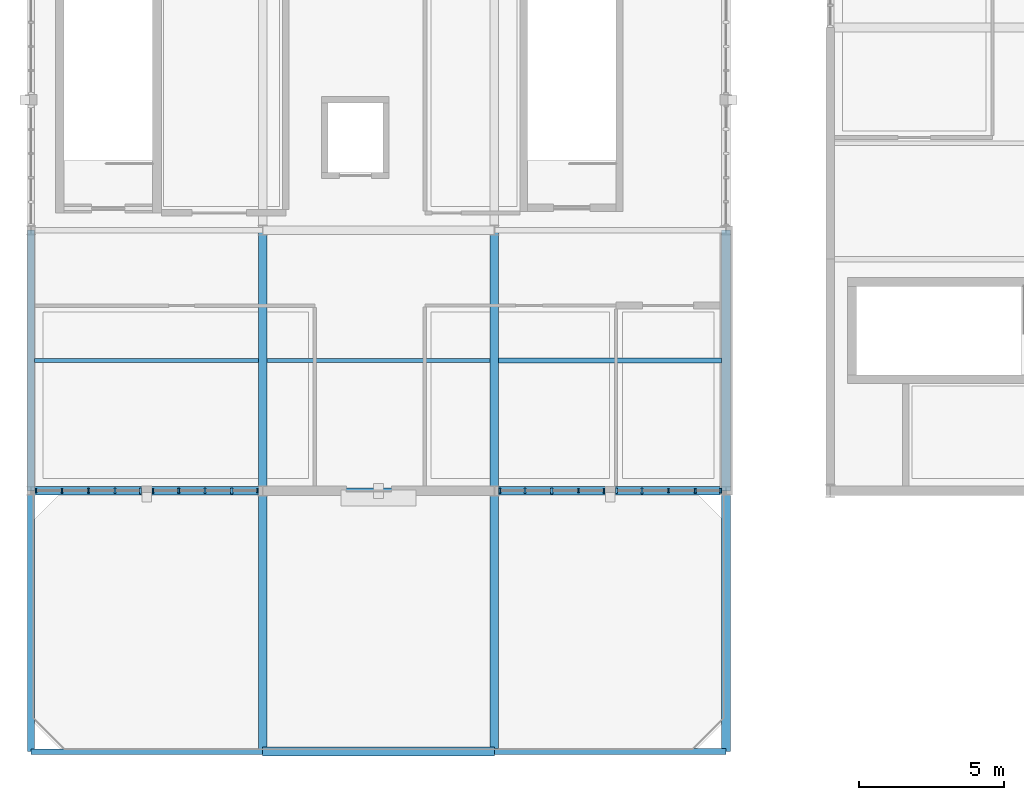
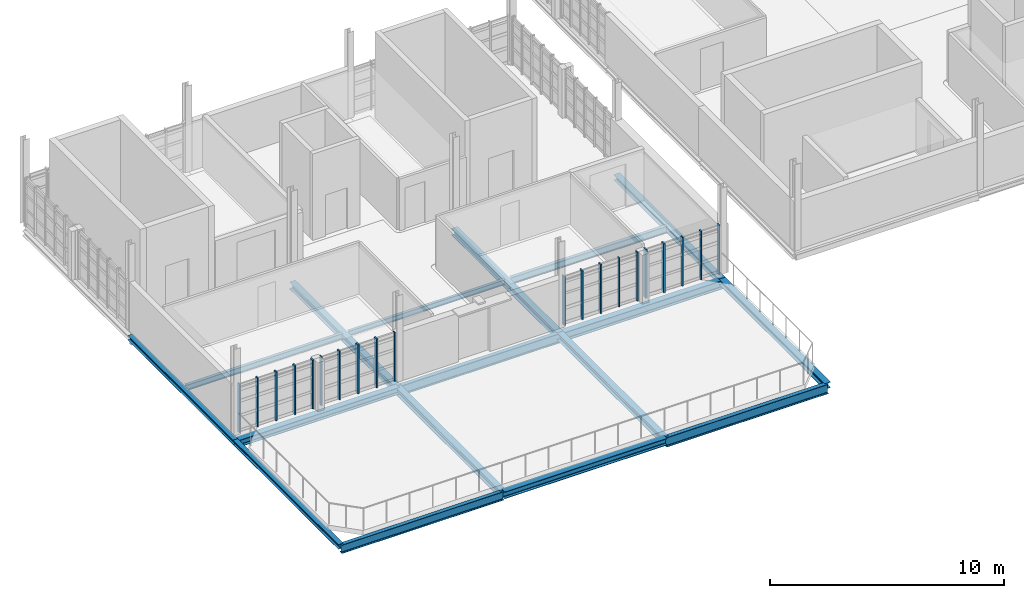
# One storey, part 6 of 44: 20 members, 17 beams, 4 elements without a shape of their own.
"""IFC4 building model written with IfcOpenShell, lengths in metres."""

from ifc_helpers import new_model, si_unit, direction, frame, origin, origin_2d, place, context, subcontext, project, spatial, rectangle, i_section, extrude, material, material_profile, profile_set, type_object, element, aggregate, save


model = new_model("IFC4")

# Units and contexts
model_context = context("Model", 3, precision=1e-05, world=origin(), true_north=direction((0.0, 1.0)))
body_context = subcontext(model_context, "Body", "Model", "MODEL_VIEW")
ifc_project = project(units=[si_unit("LENGTHUNIT", "METRE"), si_unit("AREAUNIT", "SQUARE_METRE"), si_unit("VOLUMEUNIT", "CUBIC_METRE"), si_unit("PLANEANGLEUNIT", "RADIAN"), si_unit("MASSUNIT", "GRAM", prefix="KILO")], contexts=[model_context])

# Site, building, storey
site_placement = place(None, origin())
site = spatial("IfcSite", under=ifc_project, at=site_placement, CompositionType="ELEMENT")
building_placement = place(site_placement, origin())
building = spatial("IfcBuilding", under=site, at=building_placement, Name="Serraforn Aerial Cableway Station", CompositionType="ELEMENT")
storey_placement = place(building_placement, frame((0.0, 0.0, 13.800048828125)))
storey = spatial("IfcBuildingStorey", under=building, at=storey_placement, Name="L03", CompositionType="ELEMENT", Elevation=13.800048828125)

# Beams
ifc_material_1 = material(Name="Steel S355JR", Category="steel")
ifc_material_profile_1 = material_profile(ifc_material_1, i_section(OverallWidth=0.239990234375, OverallDepth=0.239990234375, WebThickness=0.007568359375, FlangeThickness=0.011962890625, FilletRadius=0.02099609375, at=origin_2d()), Name="HEA 240")
ifc_profile_set_1 = profile_set([ifc_material_profile_1], Name="Steel S355JR")
beam_type_1 = type_object("IfcBeamType", Name="BM-ST-HEA240", PredefinedType="BEAM", material=ifc_profile_set_1)
for number, where, z_axis, x_axis, name in (
    (1, (0.0, 9.0, -0.43994140625), (0.0, 1.0, 0.0), (-1.0, 0.0, 0.0), "Grid Girder Y W L03 X1-1"),
    (2, (0.0, 18.0, -0.43994140625), (0.0, 1.0, 0.0), (-1.0, 0.0, 0.0), "Grid Girder Y W L03 X1-2"),
):
    element("IfcBeam", number, at=place(storey_placement, frame(where, z_axis=z_axis, x_axis=x_axis)), inside=storey, type_object=beam_type_1, Name=name, PredefinedType="BEAM", context=body_context, shape_type="SweptSolid", body=[
        extrude(i_section(OverallWidth=0.239990234375, OverallDepth=0.239990234375, WebThickness=0.007568359375, FlangeThickness=0.011962890625, FilletRadius=0.02099609375, at=origin_2d()), origin(), (0.0, 0.0, 1.0), 9.0),
    ])
ifc_material_profile_2 = material_profile(ifc_material_1, i_section(OverallWidth=0.300048828125, OverallDepth=0.360107421875, WebThickness=0.010009765625, FlangeThickness=0.017578125, FilletRadius=0.027099609375, at=origin_2d()), Name="HEA 360")
ifc_profile_set_2 = profile_set([ifc_material_profile_2], Name="Steel S355JR")
beam_type_2 = type_object("IfcBeamType", Name="BM-ST-HEA360", PredefinedType="BEAM", material=ifc_profile_set_2)
for number, where, z_axis, x_axis, name in (
    (3, (8.0, 9.0, -0.5), (0.0, 1.0, 0.0), (-1.0, 0.0, 0.0), "Grid Girder Y W L03 X2-1"),
    (4, (8.0, 18.0, -0.5), (0.0, 1.0, 0.0), (-1.0, 0.0, 0.0), "Grid Girder Y W L03 X2-2"),
    (5, (16.0, 9.0, -0.5), (0.0, 1.0, 0.0), (-1.0, 0.0, 0.0), "Grid Girder Y W L03 X3-1"),
    (6, (16.0, 18.0, -0.5), (0.0, 1.0, 0.0), (-1.0, 0.0, 0.0), "Grid Girder Y W L03 X3-2"),
):
    element("IfcBeam", number, at=place(storey_placement, frame(where, z_axis=z_axis, x_axis=x_axis)), inside=storey, type_object=beam_type_2, Name=name, PredefinedType="BEAM", context=body_context, shape_type="SweptSolid", body=[
        extrude(i_section(OverallWidth=0.300048828125, OverallDepth=0.360107421875, WebThickness=0.010009765625, FlangeThickness=0.017578125, FilletRadius=0.027099609375, at=origin_2d()), origin(), (0.0, 0.0, 1.0), 9.0),
    ])
ifc_material_profile_3 = material_profile(ifc_material_1, i_section(OverallWidth=0.300048828125, OverallDepth=0.449951171875, WebThickness=0.011474609375, FlangeThickness=0.02099609375, FilletRadius=0.027099609375, at=origin_2d()), Name="HEA 450")
ifc_profile_set_3 = profile_set([ifc_material_profile_3], Name="Steel S355JR")
beam_type_3 = type_object("IfcBeamType", Name="BM-ST-HEA450", PredefinedType="USERDEFINED", material=ifc_profile_set_3)
beam_1_placement = place(storey_placement, frame((16.0, 18.0, -0.545166015625), z_axis=(1.0, 0.0, 0.0), x_axis=(0.0, 1.0, 0.0)))
element("IfcBeam", 7, at=beam_1_placement, inside=storey, type_object=beam_type_3, Name="Grid Girder X W L03 Y3-3", ObjectType="GIRDER", PredefinedType="USERDEFINED", context=body_context, shape_type="SweptSolid", body=[
    extrude(i_section(OverallWidth=0.300048828125, OverallDepth=0.449951171875, WebThickness=0.011474609375, FlangeThickness=0.02099609375, FilletRadius=0.027099609375, at=origin_2d()), origin(), (0.0, 0.0, 1.0), 8.0),
])
ifc_material_2 = material(Name="Steel S355J2", Category="steel")
ifc_material_profile_4 = material_profile(ifc_material_2, i_section(OverallWidth=0.300048828125, OverallDepth=0.300048828125, WebThickness=0.010986328125, FlangeThickness=0.01904296875, FilletRadius=0.027099609375, at=origin_2d()), Name="HEB 300")
ifc_profile_set_4 = profile_set([ifc_material_profile_4], Name="Steel S355J2")
beam_type_4 = type_object("IfcBeamType", Name="BM-ST-HEB300", PredefinedType="BEAM", material=ifc_profile_set_4)
for number, where, z_axis, x_axis, name in (
    (8, (24.0, 9.0, -0.469970703125), (0.0, 1.0, 0.0), (-1.0, 0.0, 0.0), "Grid Girder Y W L03 X4-1"),
    (9, (24.0, 18.0, -0.469970703125), (0.0, 1.0, 0.0), (-1.0, 0.0, 0.0), "Grid Girder Y W L03 X4-2"),
):
    element("IfcBeam", number, at=place(storey_placement, frame(where, z_axis=z_axis, x_axis=x_axis)), inside=storey, type_object=beam_type_4, Name=name, PredefinedType="BEAM", context=body_context, shape_type="SweptSolid", body=[
        extrude(i_section(OverallWidth=0.300048828125, OverallDepth=0.300048828125, WebThickness=0.010986328125, FlangeThickness=0.01904296875, FilletRadius=0.027099609375, at=origin_2d()), origin(), (0.0, 0.0, 1.0), 9.0),
    ])
ifc_material_profile_5 = material_profile(ifc_material_2, i_section(OverallWidth=0.300048828125, OverallDepth=0.360107421875, WebThickness=0.012451171875, FlangeThickness=0.0224609375, FilletRadius=0.027099609375, at=origin_2d()), Name="HEB 360")
ifc_profile_set_5 = profile_set([ifc_material_profile_5], Name="Steel S355J2")
beam_type_5 = type_object("IfcBeamType", Name="BM-ST-HEB360", PredefinedType="USERDEFINED", material=ifc_profile_set_5)
for number, where, z_axis, x_axis, name in (
    (10, (8.0, 9.0, -0.5), (1.0, 0.0, 0.0), (0.0, 1.0, 0.0), "Grid Girder X W L03 Y2-2"),
    (11, (0.0, 18.0, -0.5), (1.0, 0.0, 0.0), (0.0, 1.0, 0.0), "Grid Girder X W L03 Y3-1"),
):
    element("IfcBeam", number, at=place(storey_placement, frame(where, z_axis=z_axis, x_axis=x_axis)), inside=storey, type_object=beam_type_5, Name=name, ObjectType="GIRDER", PredefinedType="USERDEFINED", context=body_context, shape_type="SweptSolid", body=[
        extrude(i_section(OverallWidth=0.300048828125, OverallDepth=0.360107421875, WebThickness=0.012451171875, FlangeThickness=0.0224609375, FilletRadius=0.027099609375, at=origin_2d()), origin(), (0.0, 0.0, 1.0), 8.0),
    ])
ifc_material_profile_6 = material_profile(ifc_material_1, i_section(OverallWidth=0.135009765625, OverallDepth=0.27001953125, WebThickness=0.006591796875, FlangeThickness=0.01025390625, FilletRadius=0.014892578125, at=origin_2d()), Name="IPE 270")
ifc_profile_set_6 = profile_set([ifc_material_profile_6], Name="Steel S355JR")
beam_type_6 = type_object("IfcBeamType", Name="BM-ST-IPE270", PredefinedType="JOIST", material=ifc_profile_set_6)
beam_2_placement = place(storey_placement, frame((8.14990234375, 22.5, -0.3701171875), z_axis=(1.0, 0.0, 0.0), x_axis=(0.0, 1.0, 0.0)))
element("IfcBeam", 12, at=beam_2_placement, inside=storey, type_object=beam_type_6, Name="Floor Joist W-L03-2-3-1", PredefinedType="JOIST", context=body_context, shape_type="SweptSolid", body=[
    extrude(i_section(OverallWidth=0.135009765625, OverallDepth=0.27001953125, WebThickness=0.006591796875, FlangeThickness=0.01025390625, FilletRadius=0.014892578125, at=origin_2d()), origin(), (0.0, 0.0, 1.0), 7.7001953125),
])
ifc_material_profile_7 = material_profile(ifc_material_1, i_section(OverallWidth=0.14990234375, OverallDepth=0.300048828125, WebThickness=0.007080078125, FlangeThickness=0.0107421875, FilletRadius=0.014892578125, at=origin_2d()), Name="IPE 300")
ifc_profile_set_7 = profile_set([ifc_material_profile_7], Name="Steel S355JR")
beam_type_7 = type_object("IfcBeamType", Name="BM-ST-IPE300", PredefinedType="JOIST", material=ifc_profile_set_7)
beam_3_placement = place(storey_placement, frame((0.1201171875, 22.5, -0.385009765625), z_axis=(1.0, 0.0, 0.0), x_axis=(0.0, 1.0, 0.0)))
element("IfcBeam", 13, at=beam_3_placement, inside=storey, type_object=beam_type_7, Name="Floor Joist W-L03-1-3-1", PredefinedType="JOIST", context=body_context, shape_type="SweptSolid", body=[
    extrude(i_section(OverallWidth=0.14990234375, OverallDepth=0.300048828125, WebThickness=0.007080078125, FlangeThickness=0.0107421875, FilletRadius=0.014892578125, at=origin_2d()), origin(), (0.0, 0.0, 1.0), 7.72998046875),
])
ifc_material_profile_8 = material_profile(ifc_material_1, i_section(OverallWidth=0.169921875, OverallDepth=0.360107421875, WebThickness=0.008056640625, FlangeThickness=0.0126953125, FilletRadius=0.01806640625, at=origin_2d()), Name="IPE 360")
ifc_profile_set_8 = profile_set([ifc_material_profile_8], Name="Steel S355JR")
beam_type_8 = type_object("IfcBeamType", Name="BM-ST-IPE360", PredefinedType="JOIST", material=ifc_profile_set_8)
beam_4_placement = place(storey_placement, frame((16.14990234375, 22.5, -0.4150390625), z_axis=(1.0, 0.0, 0.0), x_axis=(0.0, 1.0, 0.0)))
element("IfcBeam", 14, at=beam_4_placement, inside=storey, type_object=beam_type_8, Name="Floor Joist W-L03-3-3-1", PredefinedType="JOIST", context=body_context, shape_type="SweptSolid", body=[
    extrude(i_section(OverallWidth=0.169921875, OverallDepth=0.360107421875, WebThickness=0.008056640625, FlangeThickness=0.0126953125, FilletRadius=0.01806640625, at=origin_2d()), origin(), (0.0, 0.0, 1.0), 7.7001953125),
])
ifc_material_profile_9 = material_profile(ifc_material_1, i_section(OverallWidth=0.18994140625, OverallDepth=0.449951171875, WebThickness=0.009521484375, FlangeThickness=0.0146484375, FilletRadius=0.02099609375, at=origin_2d()), Name="IPE 450")
ifc_profile_set_9 = profile_set([ifc_material_profile_9], Name="Steel S355JR")
beam_type_9 = type_object("IfcBeamType", Name="BM-ST-IPE450", PredefinedType="BEAM", material=ifc_profile_set_9)
beam_5_placement = place(storey_placement, frame((0.0, 9.0, -0.545166015625), z_axis=(1.0, 0.0, 0.0), x_axis=(0.0, 1.0, 0.0)))
element("IfcBeam", 15, at=beam_5_placement, inside=storey, type_object=beam_type_9, Name="Grid Girder X W L03 Y2-1", PredefinedType="BEAM", context=body_context, shape_type="SweptSolid", body=[
    extrude(i_section(OverallWidth=0.18994140625, OverallDepth=0.449951171875, WebThickness=0.009521484375, FlangeThickness=0.0146484375, FilletRadius=0.02099609375, at=origin_2d()), origin(), (0.0, 0.0, 1.0), 8.0),
])
ifc_material_profile_10 = material_profile(ifc_material_1, i_section(OverallWidth=0.199951171875, OverallDepth=0.5, WebThickness=0.01025390625, FlangeThickness=0.01611328125, FilletRadius=0.02099609375, at=origin_2d()), Name="IPE 500")
ifc_profile_set_10 = profile_set([ifc_material_profile_10], Name="Steel S355JR")
beam_type_10 = type_object("IfcBeamType", Name="BM-ST-IPE500", PredefinedType="USERDEFINED", material=ifc_profile_set_10)
for number, where, z_axis, x_axis, name in (
    (16, (16.0, 9.0, -0.570068359375), (1.0, 0.0, 0.0), (0.0, 1.0, 0.0), "Grid Girder X W L03 Y2-3"),
    (17, (8.0, 18.0, -0.570068359375), (1.0, 0.0, 0.0), (0.0, 1.0, 0.0), "Grid Girder X W L03 Y3-2"),
):
    element("IfcBeam", number, at=place(storey_placement, frame(where, z_axis=z_axis, x_axis=x_axis)), inside=storey, type_object=beam_type_10, Name=name, ObjectType="GIRDER", PredefinedType="USERDEFINED", context=body_context, shape_type="SweptSolid", body=[
        extrude(i_section(OverallWidth=0.199951171875, OverallDepth=0.5, WebThickness=0.01025390625, FlangeThickness=0.01611328125, FilletRadius=0.02099609375, at=origin_2d()), origin(), (0.0, 0.0, 1.0), 8.0),
    ])

# Curtain wall, member
ifc_material_3 = material(Name="Anodised bronze unitised curtain wall")
curtain_wall_type_1 = type_object("IfcCurtainWallType", Name="CW-SYS-7", PredefinedType="USERDEFINED", material=ifc_material_3)
curtain_wall_1_placement = place(storey_placement, origin())
curtain_wall_1 = element("IfcCurtainWall", 18, at=curtain_wall_1_placement, inside=storey, type_object=curtain_wall_type_1, Name="Unitised Curtain Wall CW-W-L03-S1A", ObjectType="UNITISED CURTAIN WALL", PredefinedType="USERDEFINED")
ifc_material_4 = material(Name="Anodised bronze extruded aluminium", Category="aluminium")
ifc_material_profile_11 = material_profile(ifc_material_4, rectangle(XDim=0.054931640625, YDim=0.139892578125, at=origin_2d()), Name="CW MULLION 55x140")
ifc_profile_set_11 = profile_set([ifc_material_profile_11], Name="Anodised bronze extruded aluminium")
member_type_1 = type_object("IfcMemberType", Name="CW-MUL-1", PredefinedType="MULLION", material=ifc_profile_set_11)
member_1_placement = place(storey_placement, frame((0.175537109375, 18.0, 0.0), z_axis=(0.0, 0.0, 1.0), x_axis=(1.0, 0.0, 0.0)))
member_1 = element("IfcMember", 19, at=member_1_placement, type_object=member_type_1, Name="Curtain Wall Mullion CW-W-L03-S1A-M1", PredefinedType="MULLION", context=body_context, shape_type="SweptSolid", body=[
    extrude(rectangle(XDim=0.054931640625, YDim=0.139892578125, at=origin_2d()), origin(), (0.0, 0.0, 1.0), 2.550048828125),
])

curtain_wall_type_2 = type_object("IfcCurtainWallType", Name="CW-SYS-8", PredefinedType="USERDEFINED", material=ifc_material_3)
curtain_wall_2_placement = place(storey_placement, origin())
curtain_wall_2 = element("IfcCurtainWall", 20, at=curtain_wall_2_placement, inside=storey, type_object=curtain_wall_type_2, Name="Unitised Curtain Wall CW-W-L03-S1B", ObjectType="UNITISED CURTAIN WALL", PredefinedType="USERDEFINED")
member_2_placement = place(storey_placement, frame((7.824462890625, 18.0, 0.0), z_axis=(0.0, 0.0, 1.0), x_axis=(1.0, 0.0, 0.0)))
member_2 = element("IfcMember", 21, at=member_2_placement, type_object=member_type_1, Name="Curtain Wall Mullion CW-W-L03-S1B-M5", PredefinedType="MULLION", context=body_context, shape_type="SweptSolid", body=[
    extrude(rectangle(XDim=0.054931640625, YDim=0.139892578125, at=origin_2d()), origin(), (0.0, 0.0, 1.0), 2.550048828125),
])

curtain_wall_type_3 = type_object("IfcCurtainWallType", Name="CW-SYS-9", PredefinedType="USERDEFINED", material=ifc_material_3)
curtain_wall_3_placement = place(storey_placement, origin())
curtain_wall_3 = element("IfcCurtainWall", 22, at=curtain_wall_3_placement, inside=storey, type_object=curtain_wall_type_3, Name="Unitised Curtain Wall CW-W-L03-S3A", ObjectType="UNITISED CURTAIN WALL", PredefinedType="USERDEFINED")
member_3_placement = place(storey_placement, frame((18.902099609375, 18.0, 0.0), z_axis=(0.0, 0.0, 1.0), x_axis=(1.0, 0.0, 0.0)))
member_3 = element("IfcMember", 23, at=member_3_placement, type_object=member_type_1, Name="Curtain Wall Mullion CW-W-L03-S3A-M4", PredefinedType="MULLION", context=body_context, shape_type="SweptSolid", body=[
    extrude(rectangle(XDim=0.054931640625, YDim=0.139892578125, at=origin_2d()), origin(), (0.0, 0.0, 1.0), 2.550048828125),
])

curtain_wall_type_4 = type_object("IfcCurtainWallType", Name="CW-SYS-10", PredefinedType="USERDEFINED", material=ifc_material_3)
curtain_wall_4_placement = place(storey_placement, origin())
curtain_wall_4 = element("IfcCurtainWall", 24, at=curtain_wall_4_placement, inside=storey, type_object=curtain_wall_type_4, Name="Unitised Curtain Wall CW-W-L03-S3B", ObjectType="UNITISED CURTAIN WALL", PredefinedType="USERDEFINED")
member_4_placement = place(storey_placement, frame((22.01611328125, 18.0, 0.0), z_axis=(0.0, 0.0, 1.0), x_axis=(1.0, 0.0, 0.0)))
member_4 = element("IfcMember", 25, at=member_4_placement, type_object=member_type_1, Name="Curtain Wall Mullion CW-W-L03-S3B-M3", PredefinedType="MULLION", context=body_context, shape_type="SweptSolid", body=[
    extrude(rectangle(XDim=0.054931640625, YDim=0.139892578125, at=origin_2d()), origin(), (0.0, 0.0, 1.0), 2.550048828125),
])

# Member
ifc_material_profile_12 = material_profile(ifc_material_4, rectangle(XDim=0.06005859375, YDim=0.159912109375, at=origin_2d()), Name="CW MULLION 60x160")
ifc_profile_set_12 = profile_set([ifc_material_profile_12], Name="Anodised bronze extruded aluminium")
member_type_2 = type_object("IfcMemberType", Name="CW-MUL-2", PredefinedType="MULLION", material=ifc_profile_set_12)
member_5_placement = place(storey_placement, frame((1.06591796875, 18.0, 0.0), z_axis=(0.0, 0.0, 1.0), x_axis=(1.0, 0.0, 0.0)))
member_5 = element("IfcMember", 26, at=member_5_placement, type_object=member_type_2, Name="Curtain Wall Mullion CW-W-L03-S1A-M2", PredefinedType="MULLION", context=body_context, shape_type="SweptSolid", body=[
    extrude(rectangle(XDim=0.06005859375, YDim=0.159912109375, at=origin_2d()), origin(), (0.0, 0.0, 1.0), 2.550048828125),
])

member_6_placement = place(storey_placement, frame((4.2099609375, 18.0, 0.0), z_axis=(0.0, 0.0, 1.0), x_axis=(1.0, 0.0, 0.0)))
member_6 = element("IfcMember", 27, at=member_6_placement, type_object=member_type_2, Name="Curtain Wall Mullion CW-W-L03-S1B-M1", PredefinedType="MULLION", context=body_context, shape_type="SweptSolid", body=[
    extrude(rectangle(XDim=0.06005859375, YDim=0.159912109375, at=origin_2d()), origin(), (0.0, 0.0, 1.0), 2.550048828125),
])

member_7_placement = place(storey_placement, frame((19.7900390625, 18.0, 0.0), z_axis=(0.0, 0.0, 1.0), x_axis=(1.0, 0.0, 0.0)))
member_7 = element("IfcMember", 28, at=member_7_placement, type_object=member_type_2, Name="Curtain Wall Mullion CW-W-L03-S3A-M5", PredefinedType="MULLION", context=body_context, shape_type="SweptSolid", body=[
    extrude(rectangle(XDim=0.06005859375, YDim=0.159912109375, at=origin_2d()), origin(), (0.0, 0.0, 1.0), 2.550048828125),
])

member_8_placement = place(storey_placement, frame((22.93408203125, 18.0, 0.0), z_axis=(0.0, 0.0, 1.0), x_axis=(1.0, 0.0, 0.0)))
member_8 = element("IfcMember", 29, at=member_8_placement, type_object=member_type_2, Name="Curtain Wall Mullion CW-W-L03-S3B-M4", PredefinedType="MULLION", context=body_context, shape_type="SweptSolid", body=[
    extrude(rectangle(XDim=0.06005859375, YDim=0.159912109375, at=origin_2d()), origin(), (0.0, 0.0, 1.0), 2.550048828125),
])

ifc_material_profile_13 = material_profile(ifc_material_4, rectangle(XDim=0.06494140625, YDim=0.175048828125, at=origin_2d()), Name="CW MULLION 65x175")
ifc_profile_set_13 = profile_set([ifc_material_profile_13], Name="Anodised bronze extruded aluminium")
member_type_3 = type_object("IfcMemberType", Name="CW-MUL-3", PredefinedType="MULLION", material=ifc_profile_set_13)
member_9_placement = place(storey_placement, frame((1.98388671875, 18.0, 0.0), z_axis=(0.0, 0.0, 1.0), x_axis=(1.0, 0.0, 0.0)))
member_9 = element("IfcMember", 30, at=member_9_placement, type_object=member_type_3, Name="Curtain Wall Mullion CW-W-L03-S1A-M3", PredefinedType="MULLION", context=body_context, shape_type="SweptSolid", body=[
    extrude(rectangle(XDim=0.06494140625, YDim=0.175048828125, at=origin_2d()), origin(), (0.0, 0.0, 1.0), 2.550048828125),
])

member_10_placement = place(storey_placement, frame((5.097900390625, 18.0, 0.0), z_axis=(0.0, 0.0, 1.0), x_axis=(1.0, 0.0, 0.0)))
member_10 = element("IfcMember", 31, at=member_10_placement, type_object=member_type_3, Name="Curtain Wall Mullion CW-W-L03-S1B-M2", PredefinedType="MULLION", context=body_context, shape_type="SweptSolid", body=[
    extrude(rectangle(XDim=0.06494140625, YDim=0.175048828125, at=origin_2d()), origin(), (0.0, 0.0, 1.0), 2.550048828125),
])

member_11_placement = place(storey_placement, frame((16.180419921875, 18.0, 0.0), z_axis=(0.0, 0.0, 1.0), x_axis=(1.0, 0.0, 0.0)))
member_11 = element("IfcMember", 32, at=member_11_placement, type_object=member_type_3, Name="Curtain Wall Mullion CW-W-L03-S3A-M1", PredefinedType="MULLION", context=body_context, shape_type="SweptSolid", body=[
    extrude(rectangle(XDim=0.06494140625, YDim=0.175048828125, at=origin_2d()), origin(), (0.0, 0.0, 1.0), 2.550048828125),
])

member_12_placement = place(storey_placement, frame((23.819580078125, 18.0, 0.0), z_axis=(0.0, 0.0, 1.0), x_axis=(1.0, 0.0, 0.0)))
member_12 = element("IfcMember", 33, at=member_12_placement, type_object=member_type_3, Name="Curtain Wall Mullion CW-W-L03-S3B-M5", PredefinedType="MULLION", context=body_context, shape_type="SweptSolid", body=[
    extrude(rectangle(XDim=0.06494140625, YDim=0.175048828125, at=origin_2d()), origin(), (0.0, 0.0, 1.0), 2.550048828125),
])

ifc_material_profile_14 = material_profile(ifc_material_4, rectangle(XDim=0.070068359375, YDim=0.18994140625, at=origin_2d()), Name="CW MULLION 70x190")
ifc_profile_set_14 = profile_set([ifc_material_profile_14], Name="Anodised bronze extruded aluminium")
member_type_4 = type_object("IfcMemberType", Name="CW-MUL-4", PredefinedType="MULLION", material=ifc_profile_set_14)
member_13_placement = place(storey_placement, frame((2.902099609375, 18.0, 0.0), z_axis=(0.0, 0.0, 1.0), x_axis=(1.0, 0.0, 0.0)))
member_13 = element("IfcMember", 34, at=member_13_placement, type_object=member_type_4, Name="Curtain Wall Mullion CW-W-L03-S1A-M4", PredefinedType="MULLION", context=body_context, shape_type="SweptSolid", body=[
    extrude(rectangle(XDim=0.070068359375, YDim=0.18994140625, at=origin_2d()), origin(), (0.0, 0.0, 1.0), 2.550048828125),
])

member_14_placement = place(storey_placement, frame((6.01611328125, 18.0, 0.0), z_axis=(0.0, 0.0, 1.0), x_axis=(1.0, 0.0, 0.0)))
member_14 = element("IfcMember", 35, at=member_14_placement, type_object=member_type_4, Name="Curtain Wall Mullion CW-W-L03-S1B-M3", PredefinedType="MULLION", context=body_context, shape_type="SweptSolid", body=[
    extrude(rectangle(XDim=0.070068359375, YDim=0.18994140625, at=origin_2d()), origin(), (0.0, 0.0, 1.0), 2.550048828125),
])

member_15_placement = place(storey_placement, frame((17.06591796875, 18.0, 0.0), z_axis=(0.0, 0.0, 1.0), x_axis=(1.0, 0.0, 0.0)))
member_15 = element("IfcMember", 36, at=member_15_placement, type_object=member_type_4, Name="Curtain Wall Mullion CW-W-L03-S3A-M2", PredefinedType="MULLION", context=body_context, shape_type="SweptSolid", body=[
    extrude(rectangle(XDim=0.070068359375, YDim=0.18994140625, at=origin_2d()), origin(), (0.0, 0.0, 1.0), 2.550048828125),
])

member_16_placement = place(storey_placement, frame((20.215087890625, 18.0, 0.0), z_axis=(0.0, 0.0, 1.0), x_axis=(1.0, 0.0, 0.0)))
member_16 = element("IfcMember", 37, at=member_16_placement, type_object=member_type_4, Name="Curtain Wall Mullion CW-W-L03-S3B-M1", PredefinedType="MULLION", context=body_context, shape_type="SweptSolid", body=[
    extrude(rectangle(XDim=0.070068359375, YDim=0.18994140625, at=origin_2d()), origin(), (0.0, 0.0, 1.0), 2.550048828125),
])

ifc_material_profile_15 = material_profile(ifc_material_4, rectangle(XDim=0.074951171875, YDim=0.199951171875, at=origin_2d()), Name="CW MULLION 75x200")
ifc_profile_set_15 = profile_set([ifc_material_profile_15], Name="Anodised bronze extruded aluminium")
member_type_5 = type_object("IfcMemberType", Name="CW-MUL-5", PredefinedType="MULLION", material=ifc_profile_set_15)
member_17_placement = place(storey_placement, frame((3.782470703125, 18.0, 0.0), z_axis=(0.0, 0.0, 1.0), x_axis=(1.0, 0.0, 0.0)))
member_17 = element("IfcMember", 38, at=member_17_placement, type_object=member_type_5, Name="Curtain Wall Mullion CW-W-L03-S1A-M5", PredefinedType="MULLION", context=body_context, shape_type="SweptSolid", body=[
    extrude(rectangle(XDim=0.074951171875, YDim=0.199951171875, at=origin_2d()), origin(), (0.0, 0.0, 1.0), 2.550048828125),
])

aggregate(curtain_wall_1, [member_1, member_5, member_9, member_13, member_17])

member_18_placement = place(storey_placement, frame((6.93408203125, 18.0, 0.0), z_axis=(0.0, 0.0, 1.0), x_axis=(1.0, 0.0, 0.0)))
member_18 = element("IfcMember", 39, at=member_18_placement, type_object=member_type_5, Name="Curtain Wall Mullion CW-W-L03-S1B-M4", PredefinedType="MULLION", context=body_context, shape_type="SweptSolid", body=[
    extrude(rectangle(XDim=0.074951171875, YDim=0.199951171875, at=origin_2d()), origin(), (0.0, 0.0, 1.0), 2.550048828125),
])

aggregate(curtain_wall_2, [member_6, member_10, member_14, member_18, member_2])

member_19_placement = place(storey_placement, frame((17.98388671875, 18.0, 0.0), z_axis=(0.0, 0.0, 1.0), x_axis=(1.0, 0.0, 0.0)))
member_19 = element("IfcMember", 40, at=member_19_placement, type_object=member_type_5, Name="Curtain Wall Mullion CW-W-L03-S3A-M3", PredefinedType="MULLION", context=body_context, shape_type="SweptSolid", body=[
    extrude(rectangle(XDim=0.074951171875, YDim=0.199951171875, at=origin_2d()), origin(), (0.0, 0.0, 1.0), 2.550048828125),
])

aggregate(curtain_wall_3, [member_11, member_15, member_19, member_3, member_7])

member_20_placement = place(storey_placement, frame((21.097900390625, 18.0, 0.0), z_axis=(0.0, 0.0, 1.0), x_axis=(1.0, 0.0, 0.0)))
member_20 = element("IfcMember", 41, at=member_20_placement, type_object=member_type_5, Name="Curtain Wall Mullion CW-W-L03-S3B-M2", PredefinedType="MULLION", context=body_context, shape_type="SweptSolid", body=[
    extrude(rectangle(XDim=0.074951171875, YDim=0.199951171875, at=origin_2d()), origin(), (0.0, 0.0, 1.0), 2.550048828125),
])

aggregate(curtain_wall_4, [member_16, member_20, member_4, member_8, member_12])

save(model, "model.ifc")
